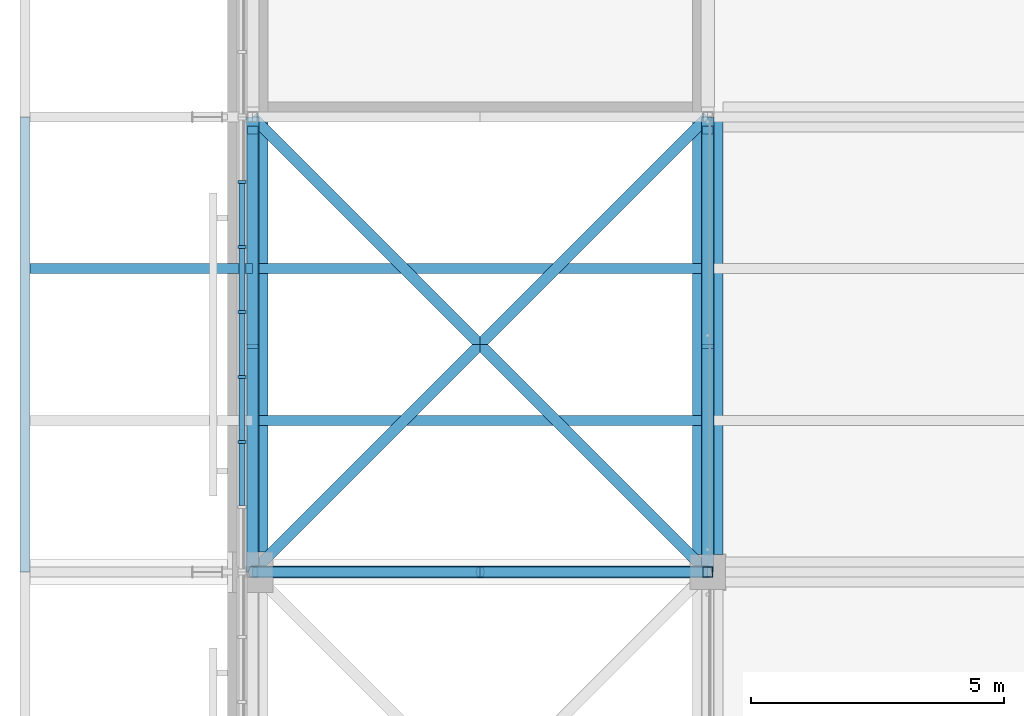
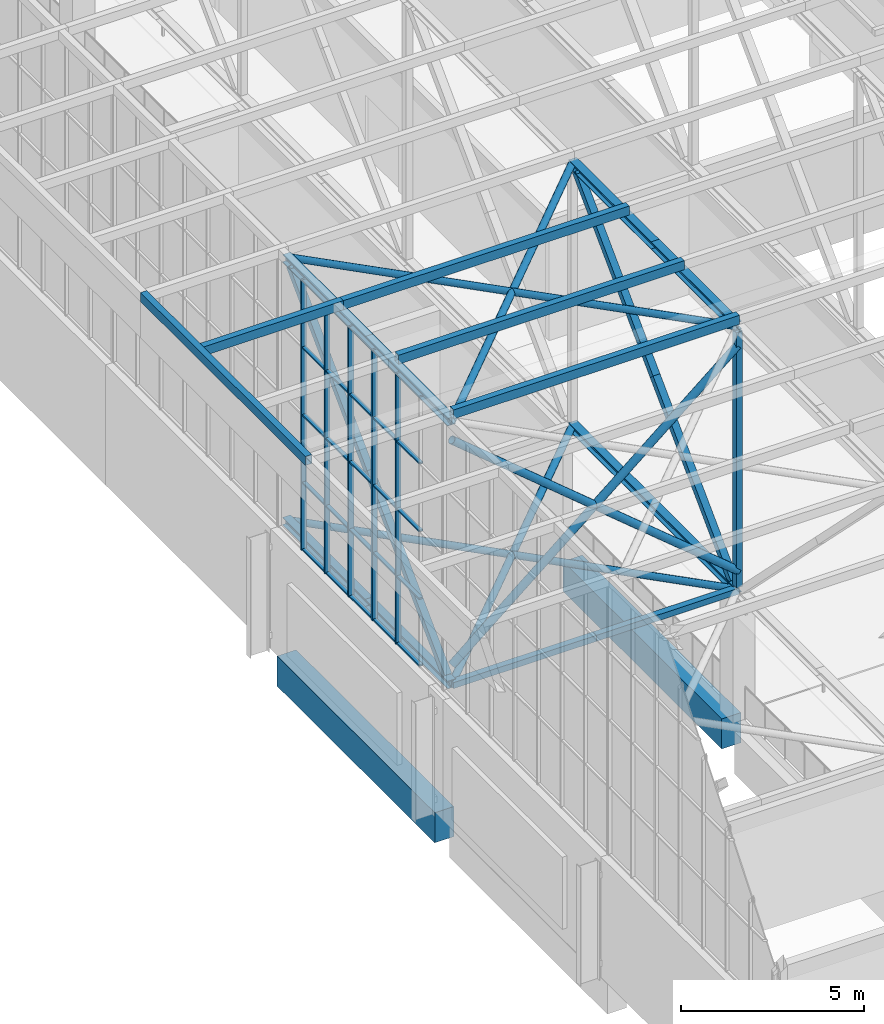
# One storey, part 51 of 646: 63 members, 2 beams, 1 element without a shape of its own.
"""IFC4 building model written with IfcOpenShell, lengths in metres."""

from ifc_helpers import new_model, si_unit, direction, frame, origin, origin_2d, place, context, subcontext, project, spatial, rectangle, hollow_rectangle, hollow_circle, i_section, extrude, material, material_profile, profile_set, type_object, element, aggregate, save


model = new_model("IFC4")

# Units and contexts
model_context = context("Model", 3, precision=1e-05, world=origin(), true_north=direction((0.0, 1.0)))
body_context = subcontext(model_context, "Body", "Model", "MODEL_VIEW")
ifc_project = project(units=[si_unit("LENGTHUNIT", "METRE"), si_unit("AREAUNIT", "SQUARE_METRE"), si_unit("VOLUMEUNIT", "CUBIC_METRE"), si_unit("PLANEANGLEUNIT", "RADIAN"), si_unit("MASSUNIT", "GRAM", prefix="KILO")], contexts=[model_context])

# Site, building, storey
site_placement = place(None, origin())
site = spatial("IfcSite", under=ifc_project, at=site_placement, CompositionType="ELEMENT")
building_placement = place(site_placement, origin())
building = spatial("IfcBuilding", under=site, at=building_placement, Name="Silverbay Arena", CompositionType="ELEMENT")
storey_placement = place(building_placement, frame((0.0, 0.0, 33.5)))
storey = spatial("IfcBuildingStorey", under=building, at=storey_placement, Name="L05", CompositionType="ELEMENT", Elevation=33.5)

# Members
ifc_material_1 = material(Name="Steel S355", Category="steel")
ifc_material_profile_1 = material_profile(ifc_material_1, hollow_rectangle(XDim=0.199951171875, YDim=0.199951171875, WallThickness=0.008056640625, at=origin_2d()), Name="SHS 200x200x8")
ifc_profile_set_1 = profile_set([ifc_material_profile_1], Name="Steel S355")
member_type_1 = type_object("IfcMemberType", Name="Bracing strut SHS 200x200x8", PredefinedType="STRUT", material=ifc_profile_set_1)
for number, where, z_axis, x_axis, name in (
    (1, (54.0, 81.0, 4.126953125), (1.0, 0.0, 0.0), (0.0, 1.0, 0.0), "ROOF BRACING strut 7-8 line 09a"),
    (2, (58.5, 81.0, 4.126953125), (1.0, 0.0, 0.0), (0.0, 1.0, 0.0), "ROOF BRACING strut 7-8 line 09b"),
):
    element("IfcMember", number, at=place(storey_placement, frame(where, z_axis=z_axis, x_axis=x_axis)), inside=storey, type_object=member_type_1, Name=name, PredefinedType="STRUT", context=body_context, shape_type="SweptSolid", body=[
        extrude(hollow_rectangle(XDim=0.199951171875, YDim=0.199951171875, WallThickness=0.008056640625, at=origin_2d()), origin(), (0.0, 0.0, 1.0), 4.5),
    ])

# Curtain wall, members
ifc_material_2 = material(Name="Aluminium framed glazing", Category="aluminium")
curtain_wall_type = type_object("IfcCurtainWallType", Name="Curtain wall clerestory 9000 x 9000", PredefinedType="NOTDEFINED", material=ifc_material_2)
curtain_wall_placement = place(storey_placement, origin())
curtain_wall = element("IfcCurtainWall", 3, at=curtain_wall_placement, inside=storey, type_object=curtain_wall_type, Name="ROOF GABLE CLERESTORY CURTAIN WALL west bay 09", PredefinedType="NOTDEFINED")
ifc_material_3 = material(Name="Aluminium", Category="aluminium")
ifc_material_profile_2 = material_profile(ifc_material_3, rectangle(XDim=0.159912109375, YDim=0.06005859375, at=origin_2d()), Name="Mullion 60 x 160")
ifc_profile_set_2 = profile_set([ifc_material_profile_2], Name="Aluminium")
member_type_2 = type_object("IfcMemberType", Name="Mullion 60 x 160", PredefinedType="MULLION", material=ifc_profile_set_2)
member_1_placement = place(storey_placement, frame((53.7900390625, 83.571533203125, 4.0), z_axis=(0.0, 0.0, 1.0), x_axis=(-1.0, 0.0, 0.0)))
member_1 = element("IfcMember", 4, at=member_1_placement, type_object=member_type_2, Name="CW60 mullion 3", PredefinedType="MULLION", context=body_context, shape_type="SweptSolid", body=[
    extrude(rectangle(XDim=0.159912109375, YDim=0.06005859375, at=origin_2d()), origin(), (0.0, 0.0, 1.0), 9.0),
])
member_2_placement = place(storey_placement, frame((53.7900390625, 84.857177734375, 4.0), z_axis=(0.0, 0.0, 1.0), x_axis=(-1.0, 0.0, 0.0)))
member_2 = element("IfcMember", 5, at=member_2_placement, type_object=member_type_2, Name="CW60 mullion 4", PredefinedType="MULLION", context=body_context, shape_type="SweptSolid", body=[
    extrude(rectangle(XDim=0.159912109375, YDim=0.06005859375, at=origin_2d()), origin(), (0.0, 0.0, 1.0), 9.0),
])
member_3_placement = place(storey_placement, frame((53.7900390625, 86.142822265625, 4.0), z_axis=(0.0, 0.0, 1.0), x_axis=(-1.0, 0.0, 0.0)))
member_3 = element("IfcMember", 6, at=member_3_placement, type_object=member_type_2, Name="CW60 mullion 5", PredefinedType="MULLION", context=body_context, shape_type="SweptSolid", body=[
    extrude(rectangle(XDim=0.159912109375, YDim=0.06005859375, at=origin_2d()), origin(), (0.0, 0.0, 1.0), 9.0),
])
member_4_placement = place(storey_placement, frame((53.7900390625, 87.428466796875, 4.0), z_axis=(0.0, 0.0, 1.0), x_axis=(-1.0, 0.0, 0.0)))
member_4 = element("IfcMember", 7, at=member_4_placement, type_object=member_type_2, Name="CW60 mullion 6", PredefinedType="MULLION", context=body_context, shape_type="SweptSolid", body=[
    extrude(rectangle(XDim=0.159912109375, YDim=0.06005859375, at=origin_2d()), origin(), (0.0, 0.0, 1.0), 9.0),
])
member_5_placement = place(storey_placement, frame((53.7900390625, 88.71435546875, 4.0), z_axis=(0.0, 0.0, 1.0), x_axis=(-1.0, 0.0, 0.0)))
member_5 = element("IfcMember", 8, at=member_5_placement, type_object=member_type_2, Name="CW60 mullion 7", PredefinedType="MULLION", context=body_context, shape_type="SweptSolid", body=[
    extrude(rectangle(XDim=0.159912109375, YDim=0.06005859375, at=origin_2d()), origin(), (0.0, 0.0, 1.0), 9.0),
])

# Members
ifc_material_4 = material(Name="Steel S355", Category="steel")
ifc_material_profile_3 = material_profile(ifc_material_4, hollow_circle(Radius=0.109619140625, WallThickness=0.00634765625, at=origin_2d()), Name="CHS 219.1x6.3")
ifc_profile_set_3 = profile_set([ifc_material_profile_3], Name="Steel S355")
member_type_3 = type_object("IfcMemberType", Name="Plan bracing CHS 219.1x6.3", PredefinedType="BRACE", material=ifc_profile_set_3)
for number, where, z_axis, x_axis, name in (
    (9, (54.0, 81.0, 12.873046875), (0.707106781187, 0.707106781187, 0.0), (-0.707106781187, 0.707106781187, 0.0), "ROOF BRACING top 7-8 panel 09 Aa"),
    (10, (58.5, 85.5, 12.873046875), (0.707106781187, 0.707106781187, 0.0), (-0.707106781187, 0.707106781187, 0.0), "ROOF BRACING top 7-8 panel 09 Ab"),
    (11, (54.0, 90.0, 12.873046875), (0.707106781187, -0.707106781187, 0.0), (0.707106781187, 0.707106781187, 0.0), "ROOF BRACING top 7-8 panel 09 Ba"),
    (12, (58.5, 85.5, 12.873046875), (0.707106781187, -0.707106781187, 0.0), (0.707106781187, 0.707106781187, 0.0), "ROOF BRACING top 7-8 panel 09 Bb"),
    (13, (54.0, 81.0, 4.126953125), (0.707106781187, 0.707106781187, 0.0), (-0.707106781187, 0.707106781187, 0.0), "ROOF BRACING bottom 7-8 panel 09 Aa"),
    (14, (58.5, 85.5, 4.126953125), (0.707106781187, 0.707106781187, 0.0), (-0.707106781187, 0.707106781187, 0.0), "ROOF BRACING bottom 7-8 panel 09 Ab"),
    (15, (54.0, 90.0, 4.126953125), (0.707106781187, -0.707106781187, 0.0), (0.707106781187, 0.707106781187, 0.0), "ROOF BRACING bottom 7-8 panel 09 Ba"),
    (16, (58.5, 85.5, 4.126953125), (0.707106781187, -0.707106781187, 0.0), (0.707106781187, 0.707106781187, 0.0), "ROOF BRACING bottom 7-8 panel 09 Bb"),
):
    element("IfcMember", number, at=place(storey_placement, frame(where, z_axis=z_axis, x_axis=x_axis)), inside=storey, type_object=member_type_3, Name=name, PredefinedType="BRACE", context=body_context, shape_type="SweptSolid", body=[
        extrude(hollow_circle(Radius=0.109619140625, WallThickness=0.00634765625, at=origin_2d()), origin(), (0.0, 0.0, 1.0), 6.364013671875),
    ])
ifc_material_5 = material(Name="Steel S355", Category="steel")
ifc_material_profile_4 = material_profile(ifc_material_5, hollow_rectangle(XDim=0.199951171875, YDim=0.300048828125, WallThickness=0.008056640625, at=origin_2d()), Name="RHS 300x200x8")
ifc_profile_set_4 = profile_set([ifc_material_profile_4], Name="Steel S355")
member_type_4 = type_object("IfcMemberType", Name="Purlin RHS 300x200x8", PredefinedType="PURLIN", material=ifc_profile_set_4)
for number, where, z_axis, x_axis, name in (
    (17, (54.0, 81.0, 13.14990234375), (1.0, 0.0, 0.0), (0.0, 1.0, 0.0), "ROOF PURLIN 7-8 line 25"),
    (18, (54.0, 84.0, 13.14990234375), (1.0, 0.0, 0.0), (0.0, 1.0, 0.0), "ROOF PURLIN 7-8 line 26"),
    (19, (54.0, 87.0, 13.14990234375), (1.0, 0.0, 0.0), (0.0, 1.0, 0.0), "ROOF PURLIN 7-8 line 27"),
):
    element("IfcMember", number, at=place(storey_placement, frame(where, z_axis=z_axis, x_axis=x_axis)), inside=storey, type_object=member_type_4, Name=name, PredefinedType="PURLIN", context=body_context, shape_type="SweptSolid", body=[
        extrude(hollow_rectangle(XDim=0.199951171875, YDim=0.300048828125, WallThickness=0.008056640625, at=origin_2d()), origin(), (0.0, 0.0, 1.0), 9.0),
    ])
member_6_placement = place(storey_placement, frame((49.60009765625, 87.0, 13.14990234375), z_axis=(1.0, 0.0, 0.0), x_axis=(0.0, 1.0, 0.0)))
element("IfcMember", 20, at=member_6_placement, inside=storey, type_object=member_type_4, Name="ROOF PURLIN west eave line 27", PredefinedType="PURLIN", context=body_context, shape_type="SweptSolid", body=[
    extrude(hollow_rectangle(XDim=0.199951171875, YDim=0.300048828125, WallThickness=0.008056640625, at=origin_2d()), origin(), (0.0, 0.0, 1.0), 4.39990234375),
])
member_7_placement = place(storey_placement, frame((49.5, 81.0, 13.14990234375), z_axis=(0.0, 1.0, 0.0), x_axis=(-1.0, 0.0, 0.0)))
element("IfcMember", 21, at=member_7_placement, inside=storey, type_object=member_type_4, Name="ROOF PURLIN west eave edge 09", PredefinedType="PURLIN", context=body_context, shape_type="SweptSolid", body=[
    extrude(hollow_rectangle(XDim=0.199951171875, YDim=0.300048828125, WallThickness=0.008056640625, at=origin_2d()), origin(), (0.0, 0.0, 1.0), 9.0),
])

# Beams
ifc_material_6 = material(Name="Concrete Grade C45", Category="concrete")
ifc_material_profile_5 = material_profile(ifc_material_6, rectangle(XDim=0.60009765625, YDim=1.0, at=origin_2d()), Name="RC 600x1000")
ifc_profile_set_5 = profile_set([ifc_material_profile_5], Name="Concrete Grade C45")
beam_type = type_object("IfcBeamType", Name="RC beam 600x1000", PredefinedType="BEAM", material=ifc_profile_set_5)
beam_1_placement = place(storey_placement, frame((54.0, 81.39990234375, -0.800048828125), z_axis=(0.0, 1.0, 0.0), x_axis=(-1.0, 0.0, 0.0)))
element("IfcBeam", 22, at=beam_1_placement, inside=storey, type_object=beam_type, Name="Floor beam L05 075", PredefinedType="BEAM", context=body_context, shape_type="SweptSolid", body=[
    extrude(rectangle(XDim=0.60009765625, YDim=1.0, at=origin_2d()), origin(), (0.0, 0.0, 1.0), 8.60009765625),
])
beam_2_placement = place(storey_placement, frame((63.0, 81.35009765625, -0.800048828125), z_axis=(0.0, 1.0, 0.0), x_axis=(-1.0, 0.0, 0.0)))
element("IfcBeam", 23, at=beam_2_placement, inside=storey, type_object=beam_type, Name="Floor beam L05 083", PredefinedType="BEAM", context=body_context, shape_type="SweptSolid", body=[
    extrude(rectangle(XDim=0.60009765625, YDim=1.0, at=origin_2d()), origin(), (0.0, 0.0, 1.0), 8.64990234375),
])

# Members
ifc_material_7 = material(Name="Steel S355", Category="steel")
ifc_material_profile_6 = material_profile(ifc_material_7, i_section(OverallWidth=0.254638671875, OverallDepth=0.254150390625, WebThickness=0.008544921875, FlangeThickness=0.01416015625, at=origin_2d()), Name="UC 254x254x73")
ifc_profile_set_6 = profile_set([ifc_material_profile_6], Name="Steel S355")
member_type_5 = type_object("IfcMemberType", Name="Short-span bottom chord UC 254x254x73", PredefinedType="CHORD", material=ifc_profile_set_6)
for number, where, z_axis, x_axis, name in (
    (24, (54.0, 81.0, 4.126953125), (0.0, 1.0, 0.0), (-1.0, 0.0, 0.0), "ROOF TRUSS 7 bottom chord 09a"),
    (25, (54.0, 85.5, 4.126953125), (0.0, 1.0, 0.0), (-1.0, 0.0, 0.0), "ROOF TRUSS 7 bottom chord 09b"),
    (26, (63.0, 81.0, 4.126953125), (0.0, 1.0, 0.0), (-1.0, 0.0, 0.0), "ROOF TRUSS 8 bottom chord 09a"),
    (27, (63.0, 85.5, 4.126953125), (0.0, 1.0, 0.0), (-1.0, 0.0, 0.0), "ROOF TRUSS 8 bottom chord 09b"),
):
    element("IfcMember", number, at=place(storey_placement, frame(where, z_axis=z_axis, x_axis=x_axis)), inside=storey, type_object=member_type_5, Name=name, PredefinedType="CHORD", context=body_context, shape_type="SweptSolid", body=[
        extrude(i_section(OverallWidth=0.254638671875, OverallDepth=0.254150390625, WebThickness=0.008544921875, FlangeThickness=0.01416015625, at=origin_2d()), origin(), (0.0, 0.0, 1.0), 4.5),
    ])
ifc_material_8 = material(Name="Steel S355", Category="steel")
ifc_material_profile_7 = material_profile(ifc_material_8, i_section(OverallWidth=0.254638671875, OverallDepth=0.254150390625, WebThickness=0.008544921875, FlangeThickness=0.01416015625, at=origin_2d()), Name="UC 254x254x73")
ifc_profile_set_7 = profile_set([ifc_material_profile_7], Name="Steel S355")
member_type_6 = type_object("IfcMemberType", Name="Short-span top chord UC 254x254x73", PredefinedType="CHORD", material=ifc_profile_set_7)
for number, where, z_axis, x_axis, name in (
    (28, (54.0, 81.0, 12.873046875), (0.0, 1.0, 0.0), (-1.0, 0.0, 0.0), "ROOF TRUSS 7 top chord 09a"),
    (29, (54.0, 85.5, 12.873046875), (0.0, 1.0, 0.0), (-1.0, 0.0, 0.0), "ROOF TRUSS 7 top chord 09b"),
    (30, (63.0, 81.0, 12.873046875), (0.0, 1.0, 0.0), (-1.0, 0.0, 0.0), "ROOF TRUSS 8 top chord 09a"),
    (31, (63.0, 85.5, 12.873046875), (0.0, 1.0, 0.0), (-1.0, 0.0, 0.0), "ROOF TRUSS 8 top chord 09b"),
):
    element("IfcMember", number, at=place(storey_placement, frame(where, z_axis=z_axis, x_axis=x_axis)), inside=storey, type_object=member_type_6, Name=name, PredefinedType="CHORD", context=body_context, shape_type="SweptSolid", body=[
        extrude(i_section(OverallWidth=0.254638671875, OverallDepth=0.254150390625, WebThickness=0.008544921875, FlangeThickness=0.01416015625, at=origin_2d()), origin(), (0.0, 0.0, 1.0), 4.5),
    ])
ifc_material_9 = material(Name="Steel S355", Category="steel")
ifc_material_profile_8 = material_profile(ifc_material_9, hollow_rectangle(XDim=0.219970703125, YDim=0.219970703125, WallThickness=0.008056640625, at=origin_2d()), Name="SHS 220x220x8")
ifc_profile_set_8 = profile_set([ifc_material_profile_8], Name="Steel S355")
member_type_7 = type_object("IfcMemberType", Name="Short-span truss diagonal SHS 220x220x8", PredefinedType="BRACE", material=ifc_profile_set_8)
for number, where, z_axis, x_axis, name in (
    (32, (54.0, 89.73974609375, 12.745849609375), (0.0, -0.706597990941, -0.707615205601), (1.0, 0.0, 0.0), "ROOF TRUSS 7 diagonal 09a"),
    (33, (54.0, 85.5, 8.5), (0.0, -0.706597990941, -0.707615205601), (1.0, 0.0, 0.0), "ROOF TRUSS 7 diagonal 09b"),
    (34, (63.0, 89.73974609375, 12.745849609375), (0.0, -0.706597990941, -0.707615205601), (1.0, 0.0, 0.0), "ROOF TRUSS 8 diagonal 09a"),
    (35, (63.0, 85.5, 8.5), (0.0, -0.706597990941, -0.707615205601), (1.0, 0.0, 0.0), "ROOF TRUSS 8 diagonal 09b"),
):
    element("IfcMember", number, at=place(storey_placement, frame(where, z_axis=z_axis, x_axis=x_axis)), inside=storey, type_object=member_type_7, Name=name, PredefinedType="BRACE", context=body_context, shape_type="SweptSolid", body=[
        extrude(hollow_rectangle(XDim=0.219970703125, YDim=0.219970703125, WallThickness=0.008056640625, at=origin_2d()), origin(), (0.0, 0.0, 1.0), 6.000244140625),
    ])
ifc_material_10 = material(Name="Steel S355", Category="steel")
ifc_material_profile_9 = material_profile(ifc_material_10, hollow_rectangle(XDim=0.199951171875, YDim=0.199951171875, WallThickness=0.008056640625, at=origin_2d()), Name="SHS 200x200x8")
ifc_profile_set_9 = profile_set([ifc_material_profile_9], Name="Steel S355")
member_type_8 = type_object("IfcMemberType", Name="Short-span truss vertical SHS 200x200x8", PredefinedType="STRUT", material=ifc_profile_set_9)
for number, where, z_axis, x_axis, name in (
    (36, (63.0, 81.0, 4.254150390625), (0.0, 0.0, 1.0), (1.0, 0.0, 0.0), "ROOF TRUSS 8 vertical 09a"),
    (37, (63.0, 81.0, 8.5), (0.0, 0.0, 1.0), (1.0, 0.0, 0.0), "ROOF TRUSS 8 vertical 09b"),
):
    element("IfcMember", number, at=place(storey_placement, frame(where, z_axis=z_axis, x_axis=x_axis)), inside=storey, type_object=member_type_8, Name=name, PredefinedType="STRUT", context=body_context, shape_type="SweptSolid", body=[
        extrude(hollow_rectangle(XDim=0.199951171875, YDim=0.199951171875, WallThickness=0.008056640625, at=origin_2d()), origin(), (0.0, 0.0, 1.0), 4.245849609375),
    ])

# Member
ifc_material_11 = material(Name="Aluminium", Category="aluminium")
ifc_material_profile_10 = material_profile(ifc_material_11, rectangle(XDim=0.1201171875, YDim=0.050048828125, at=origin_2d()), Name="Transom 50 x 120")
ifc_profile_set_10 = profile_set([ifc_material_profile_10], Name="Aluminium")
member_type_9 = type_object("IfcMemberType", Name="Transom 50 x 120", PredefinedType="USERDEFINED", material=ifc_profile_set_10)
member_8_placement = place(storey_placement, frame((53.7900390625, 82.315673828125, 4.02490234375), z_axis=(0.0, 1.0, 0.0), x_axis=(-1.0, 0.0, 0.0)))
member_8 = element("IfcMember", 38, at=member_8_placement, type_object=member_type_9, Name="CW60 transom 2.1", ObjectType="TRANSOM", PredefinedType="USERDEFINED", context=body_context, shape_type="SweptSolid", body=[
    extrude(rectangle(XDim=0.1201171875, YDim=0.050048828125, at=origin_2d()), origin(), (0.0, 0.0, 1.0), 1.225830078125),
])

member_9_placement = place(storey_placement, frame((53.7900390625, 82.315673828125, 6.25), z_axis=(0.0, 1.0, 0.0), x_axis=(-1.0, 0.0, 0.0)))
member_9 = element("IfcMember", 39, at=member_9_placement, type_object=member_type_9, Name="CW60 transom 2.2", ObjectType="TRANSOM", PredefinedType="USERDEFINED", context=body_context, shape_type="SweptSolid", body=[
    extrude(rectangle(XDim=0.1201171875, YDim=0.050048828125, at=origin_2d()), origin(), (0.0, 0.0, 1.0), 1.225830078125),
])

member_10_placement = place(storey_placement, frame((53.7900390625, 82.315673828125, 8.5), z_axis=(0.0, 1.0, 0.0), x_axis=(-1.0, 0.0, 0.0)))
member_10 = element("IfcMember", 40, at=member_10_placement, type_object=member_type_9, Name="CW60 transom 2.3", ObjectType="TRANSOM", PredefinedType="USERDEFINED", context=body_context, shape_type="SweptSolid", body=[
    extrude(rectangle(XDim=0.1201171875, YDim=0.050048828125, at=origin_2d()), origin(), (0.0, 0.0, 1.0), 1.225830078125),
])

member_11_placement = place(storey_placement, frame((53.7900390625, 82.315673828125, 10.75), z_axis=(0.0, 1.0, 0.0), x_axis=(-1.0, 0.0, 0.0)))
member_11 = element("IfcMember", 41, at=member_11_placement, type_object=member_type_9, Name="CW60 transom 2.4", ObjectType="TRANSOM", PredefinedType="USERDEFINED", context=body_context, shape_type="SweptSolid", body=[
    extrude(rectangle(XDim=0.1201171875, YDim=0.050048828125, at=origin_2d()), origin(), (0.0, 0.0, 1.0), 1.225830078125),
])

member_12_placement = place(storey_placement, frame((53.7900390625, 82.315673828125, 12.97509765625), z_axis=(0.0, 1.0, 0.0), x_axis=(-1.0, 0.0, 0.0)))
member_12 = element("IfcMember", 42, at=member_12_placement, type_object=member_type_9, Name="CW60 transom 2.5", ObjectType="TRANSOM", PredefinedType="USERDEFINED", context=body_context, shape_type="SweptSolid", body=[
    extrude(rectangle(XDim=0.1201171875, YDim=0.050048828125, at=origin_2d()), origin(), (0.0, 0.0, 1.0), 1.225830078125),
])

member_13_placement = place(storey_placement, frame((53.7900390625, 83.601318359375, 4.02490234375), z_axis=(0.0, 1.0, 0.0), x_axis=(-1.0, 0.0, 0.0)))
member_13 = element("IfcMember", 43, at=member_13_placement, type_object=member_type_9, Name="CW60 transom 3.1", ObjectType="TRANSOM", PredefinedType="USERDEFINED", context=body_context, shape_type="SweptSolid", body=[
    extrude(rectangle(XDim=0.1201171875, YDim=0.050048828125, at=origin_2d()), origin(), (0.0, 0.0, 1.0), 1.225830078125),
])

member_14_placement = place(storey_placement, frame((53.7900390625, 83.601318359375, 6.25), z_axis=(0.0, 1.0, 0.0), x_axis=(-1.0, 0.0, 0.0)))
member_14 = element("IfcMember", 44, at=member_14_placement, type_object=member_type_9, Name="CW60 transom 3.2", ObjectType="TRANSOM", PredefinedType="USERDEFINED", context=body_context, shape_type="SweptSolid", body=[
    extrude(rectangle(XDim=0.1201171875, YDim=0.050048828125, at=origin_2d()), origin(), (0.0, 0.0, 1.0), 1.225830078125),
])

member_15_placement = place(storey_placement, frame((53.7900390625, 83.601318359375, 8.5), z_axis=(0.0, 1.0, 0.0), x_axis=(-1.0, 0.0, 0.0)))
member_15 = element("IfcMember", 45, at=member_15_placement, type_object=member_type_9, Name="CW60 transom 3.3", ObjectType="TRANSOM", PredefinedType="USERDEFINED", context=body_context, shape_type="SweptSolid", body=[
    extrude(rectangle(XDim=0.1201171875, YDim=0.050048828125, at=origin_2d()), origin(), (0.0, 0.0, 1.0), 1.225830078125),
])

member_16_placement = place(storey_placement, frame((53.7900390625, 83.601318359375, 10.75), z_axis=(0.0, 1.0, 0.0), x_axis=(-1.0, 0.0, 0.0)))
member_16 = element("IfcMember", 46, at=member_16_placement, type_object=member_type_9, Name="CW60 transom 3.4", ObjectType="TRANSOM", PredefinedType="USERDEFINED", context=body_context, shape_type="SweptSolid", body=[
    extrude(rectangle(XDim=0.1201171875, YDim=0.050048828125, at=origin_2d()), origin(), (0.0, 0.0, 1.0), 1.225830078125),
])

member_17_placement = place(storey_placement, frame((53.7900390625, 83.601318359375, 12.97509765625), z_axis=(0.0, 1.0, 0.0), x_axis=(-1.0, 0.0, 0.0)))
member_17 = element("IfcMember", 47, at=member_17_placement, type_object=member_type_9, Name="CW60 transom 3.5", ObjectType="TRANSOM", PredefinedType="USERDEFINED", context=body_context, shape_type="SweptSolid", body=[
    extrude(rectangle(XDim=0.1201171875, YDim=0.050048828125, at=origin_2d()), origin(), (0.0, 0.0, 1.0), 1.225830078125),
])

member_18_placement = place(storey_placement, frame((53.7900390625, 84.88720703125, 4.02490234375), z_axis=(0.0, 1.0, 0.0), x_axis=(-1.0, 0.0, 0.0)))
member_18 = element("IfcMember", 48, at=member_18_placement, type_object=member_type_9, Name="CW60 transom 4.1", ObjectType="TRANSOM", PredefinedType="USERDEFINED", context=body_context, shape_type="SweptSolid", body=[
    extrude(rectangle(XDim=0.1201171875, YDim=0.050048828125, at=origin_2d()), origin(), (0.0, 0.0, 1.0), 1.2255859375),
])

member_19_placement = place(storey_placement, frame((53.7900390625, 84.88720703125, 6.25), z_axis=(0.0, 1.0, 0.0), x_axis=(-1.0, 0.0, 0.0)))
member_19 = element("IfcMember", 49, at=member_19_placement, type_object=member_type_9, Name="CW60 transom 4.2", ObjectType="TRANSOM", PredefinedType="USERDEFINED", context=body_context, shape_type="SweptSolid", body=[
    extrude(rectangle(XDim=0.1201171875, YDim=0.050048828125, at=origin_2d()), origin(), (0.0, 0.0, 1.0), 1.2255859375),
])

member_20_placement = place(storey_placement, frame((53.7900390625, 84.88720703125, 8.5), z_axis=(0.0, 1.0, 0.0), x_axis=(-1.0, 0.0, 0.0)))
member_20 = element("IfcMember", 50, at=member_20_placement, type_object=member_type_9, Name="CW60 transom 4.3", ObjectType="TRANSOM", PredefinedType="USERDEFINED", context=body_context, shape_type="SweptSolid", body=[
    extrude(rectangle(XDim=0.1201171875, YDim=0.050048828125, at=origin_2d()), origin(), (0.0, 0.0, 1.0), 1.2255859375),
])

member_21_placement = place(storey_placement, frame((53.7900390625, 84.88720703125, 10.75), z_axis=(0.0, 1.0, 0.0), x_axis=(-1.0, 0.0, 0.0)))
member_21 = element("IfcMember", 51, at=member_21_placement, type_object=member_type_9, Name="CW60 transom 4.4", ObjectType="TRANSOM", PredefinedType="USERDEFINED", context=body_context, shape_type="SweptSolid", body=[
    extrude(rectangle(XDim=0.1201171875, YDim=0.050048828125, at=origin_2d()), origin(), (0.0, 0.0, 1.0), 1.2255859375),
])

member_22_placement = place(storey_placement, frame((53.7900390625, 84.88720703125, 12.97509765625), z_axis=(0.0, 1.0, 0.0), x_axis=(-1.0, 0.0, 0.0)))
member_22 = element("IfcMember", 52, at=member_22_placement, type_object=member_type_9, Name="CW60 transom 4.5", ObjectType="TRANSOM", PredefinedType="USERDEFINED", context=body_context, shape_type="SweptSolid", body=[
    extrude(rectangle(XDim=0.1201171875, YDim=0.050048828125, at=origin_2d()), origin(), (0.0, 0.0, 1.0), 1.2255859375),
])

member_23_placement = place(storey_placement, frame((53.7900390625, 86.1728515625, 4.02490234375), z_axis=(0.0, 1.0, 0.0), x_axis=(-1.0, 0.0, 0.0)))
member_23 = element("IfcMember", 53, at=member_23_placement, type_object=member_type_9, Name="CW60 transom 5.1", ObjectType="TRANSOM", PredefinedType="USERDEFINED", context=body_context, shape_type="SweptSolid", body=[
    extrude(rectangle(XDim=0.1201171875, YDim=0.050048828125, at=origin_2d()), origin(), (0.0, 0.0, 1.0), 1.225830078125),
])

member_24_placement = place(storey_placement, frame((53.7900390625, 86.1728515625, 6.25), z_axis=(0.0, 1.0, 0.0), x_axis=(-1.0, 0.0, 0.0)))
member_24 = element("IfcMember", 54, at=member_24_placement, type_object=member_type_9, Name="CW60 transom 5.2", ObjectType="TRANSOM", PredefinedType="USERDEFINED", context=body_context, shape_type="SweptSolid", body=[
    extrude(rectangle(XDim=0.1201171875, YDim=0.050048828125, at=origin_2d()), origin(), (0.0, 0.0, 1.0), 1.225830078125),
])

member_25_placement = place(storey_placement, frame((53.7900390625, 86.1728515625, 8.5), z_axis=(0.0, 1.0, 0.0), x_axis=(-1.0, 0.0, 0.0)))
member_25 = element("IfcMember", 55, at=member_25_placement, type_object=member_type_9, Name="CW60 transom 5.3", ObjectType="TRANSOM", PredefinedType="USERDEFINED", context=body_context, shape_type="SweptSolid", body=[
    extrude(rectangle(XDim=0.1201171875, YDim=0.050048828125, at=origin_2d()), origin(), (0.0, 0.0, 1.0), 1.225830078125),
])

member_26_placement = place(storey_placement, frame((53.7900390625, 86.1728515625, 10.75), z_axis=(0.0, 1.0, 0.0), x_axis=(-1.0, 0.0, 0.0)))
member_26 = element("IfcMember", 56, at=member_26_placement, type_object=member_type_9, Name="CW60 transom 5.4", ObjectType="TRANSOM", PredefinedType="USERDEFINED", context=body_context, shape_type="SweptSolid", body=[
    extrude(rectangle(XDim=0.1201171875, YDim=0.050048828125, at=origin_2d()), origin(), (0.0, 0.0, 1.0), 1.225830078125),
])

member_27_placement = place(storey_placement, frame((53.7900390625, 86.1728515625, 12.97509765625), z_axis=(0.0, 1.0, 0.0), x_axis=(-1.0, 0.0, 0.0)))
member_27 = element("IfcMember", 57, at=member_27_placement, type_object=member_type_9, Name="CW60 transom 5.5", ObjectType="TRANSOM", PredefinedType="USERDEFINED", context=body_context, shape_type="SweptSolid", body=[
    extrude(rectangle(XDim=0.1201171875, YDim=0.050048828125, at=origin_2d()), origin(), (0.0, 0.0, 1.0), 1.225830078125),
])

member_28_placement = place(storey_placement, frame((53.7900390625, 87.45849609375, 4.02490234375), z_axis=(0.0, 1.0, 0.0), x_axis=(-1.0, 0.0, 0.0)))
member_28 = element("IfcMember", 58, at=member_28_placement, type_object=member_type_9, Name="CW60 transom 6.1", ObjectType="TRANSOM", PredefinedType="USERDEFINED", context=body_context, shape_type="SweptSolid", body=[
    extrude(rectangle(XDim=0.1201171875, YDim=0.050048828125, at=origin_2d()), origin(), (0.0, 0.0, 1.0), 1.225830078125),
])

member_29_placement = place(storey_placement, frame((53.7900390625, 87.45849609375, 6.25), z_axis=(0.0, 1.0, 0.0), x_axis=(-1.0, 0.0, 0.0)))
member_29 = element("IfcMember", 59, at=member_29_placement, type_object=member_type_9, Name="CW60 transom 6.2", ObjectType="TRANSOM", PredefinedType="USERDEFINED", context=body_context, shape_type="SweptSolid", body=[
    extrude(rectangle(XDim=0.1201171875, YDim=0.050048828125, at=origin_2d()), origin(), (0.0, 0.0, 1.0), 1.225830078125),
])

member_30_placement = place(storey_placement, frame((53.7900390625, 87.45849609375, 8.5), z_axis=(0.0, 1.0, 0.0), x_axis=(-1.0, 0.0, 0.0)))
member_30 = element("IfcMember", 60, at=member_30_placement, type_object=member_type_9, Name="CW60 transom 6.3", ObjectType="TRANSOM", PredefinedType="USERDEFINED", context=body_context, shape_type="SweptSolid", body=[
    extrude(rectangle(XDim=0.1201171875, YDim=0.050048828125, at=origin_2d()), origin(), (0.0, 0.0, 1.0), 1.225830078125),
])

member_31_placement = place(storey_placement, frame((53.7900390625, 87.45849609375, 10.75), z_axis=(0.0, 1.0, 0.0), x_axis=(-1.0, 0.0, 0.0)))
member_31 = element("IfcMember", 61, at=member_31_placement, type_object=member_type_9, Name="CW60 transom 6.4", ObjectType="TRANSOM", PredefinedType="USERDEFINED", context=body_context, shape_type="SweptSolid", body=[
    extrude(rectangle(XDim=0.1201171875, YDim=0.050048828125, at=origin_2d()), origin(), (0.0, 0.0, 1.0), 1.225830078125),
])

member_32_placement = place(storey_placement, frame((53.7900390625, 87.45849609375, 12.97509765625), z_axis=(0.0, 1.0, 0.0), x_axis=(-1.0, 0.0, 0.0)))
member_32 = element("IfcMember", 62, at=member_32_placement, type_object=member_type_9, Name="CW60 transom 6.5", ObjectType="TRANSOM", PredefinedType="USERDEFINED", context=body_context, shape_type="SweptSolid", body=[
    extrude(rectangle(XDim=0.1201171875, YDim=0.050048828125, at=origin_2d()), origin(), (0.0, 0.0, 1.0), 1.225830078125),
])

aggregate(curtain_wall, [member_1, member_2, member_3, member_4, member_5, member_8, member_9, member_10, member_11, member_12, member_13, member_14, member_15, member_16, member_17, member_18, member_19, member_20, member_21, member_22, member_23, member_24, member_25, member_26, member_27, member_28, member_29, member_30, member_31, member_32])

# Members
ifc_material_12 = material(Name="Steel S355", Category="steel")
ifc_material_profile_11 = material_profile(ifc_material_12, hollow_circle(Radius=0.122314453125, WallThickness=0.00634765625, at=origin_2d()), Name="CHS 244.5x6.3")
ifc_profile_set_11 = profile_set([ifc_material_profile_11], Name="Steel S355")
member_type_10 = type_object("IfcMemberType", Name="Vertical bracing CHS 244.5x6.3", PredefinedType="BRACE", material=ifc_profile_set_11)
for number, where, z_axis, x_axis, name in (
    (63, (54.0, 81.0, 4.754150390625), (0.768569784798, 0.0, 0.639765961814), (0.0, 1.0, 0.0), "ROOF BRACING vertical 7-8 line 09 Aa"),
    (64, (58.5, 81.0, 8.5), (0.768569784798, 0.0, 0.639765961814), (0.0, 1.0, 0.0), "ROOF BRACING vertical 7-8 line 09 Ab"),
    (65, (54.0, 81.0, 12.245849609375), (0.768569784798, 0.0, -0.639765961814), (0.0, 1.0, 0.0), "ROOF BRACING vertical 7-8 line 09 Ba"),
    (66, (58.5, 81.0, 8.5), (0.768569784798, 0.0, -0.639765961814), (0.0, 1.0, 0.0), "ROOF BRACING vertical 7-8 line 09 Bb"),
):
    element("IfcMember", number, at=place(storey_placement, frame(where, z_axis=z_axis, x_axis=x_axis)), inside=storey, type_object=member_type_10, Name=name, PredefinedType="BRACE", context=body_context, shape_type="SweptSolid", body=[
        extrude(hollow_circle(Radius=0.122314453125, WallThickness=0.00634765625, at=origin_2d()), origin(), (0.0, 0.0, 1.0), 5.85498046875),
    ])

save(model, "model.ifc")
